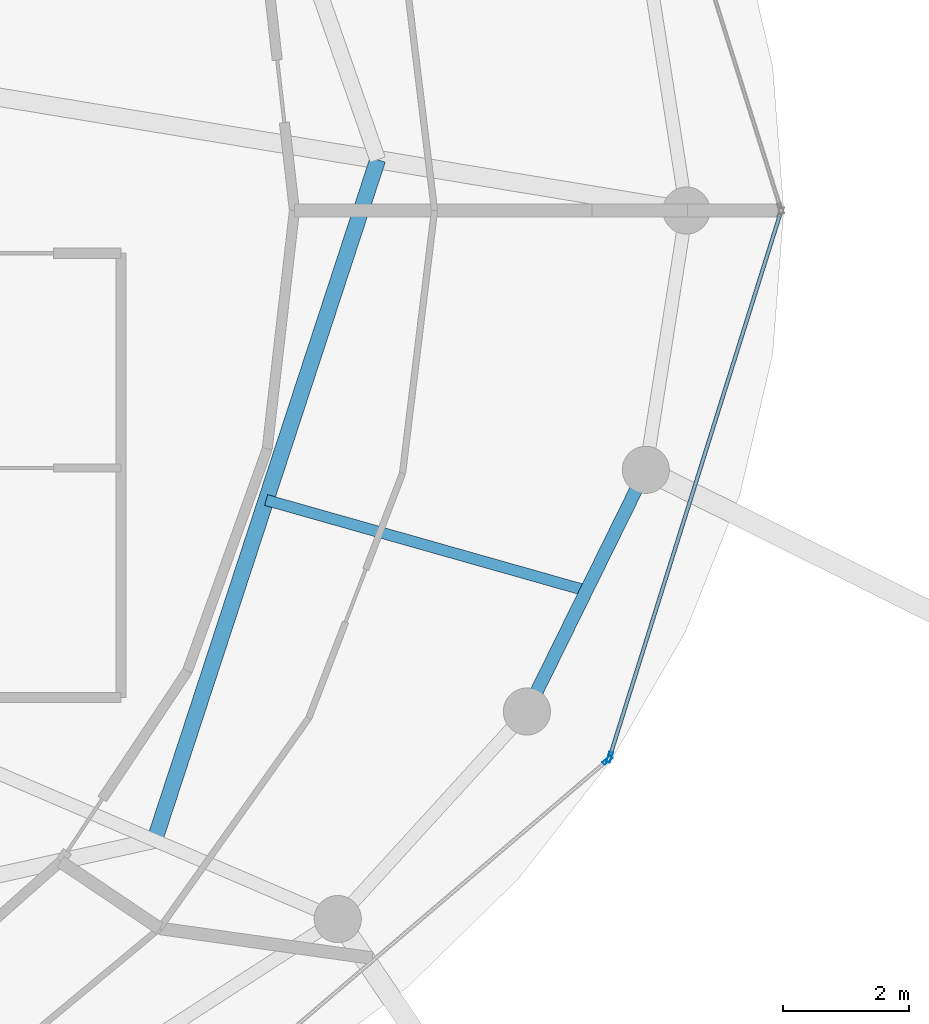
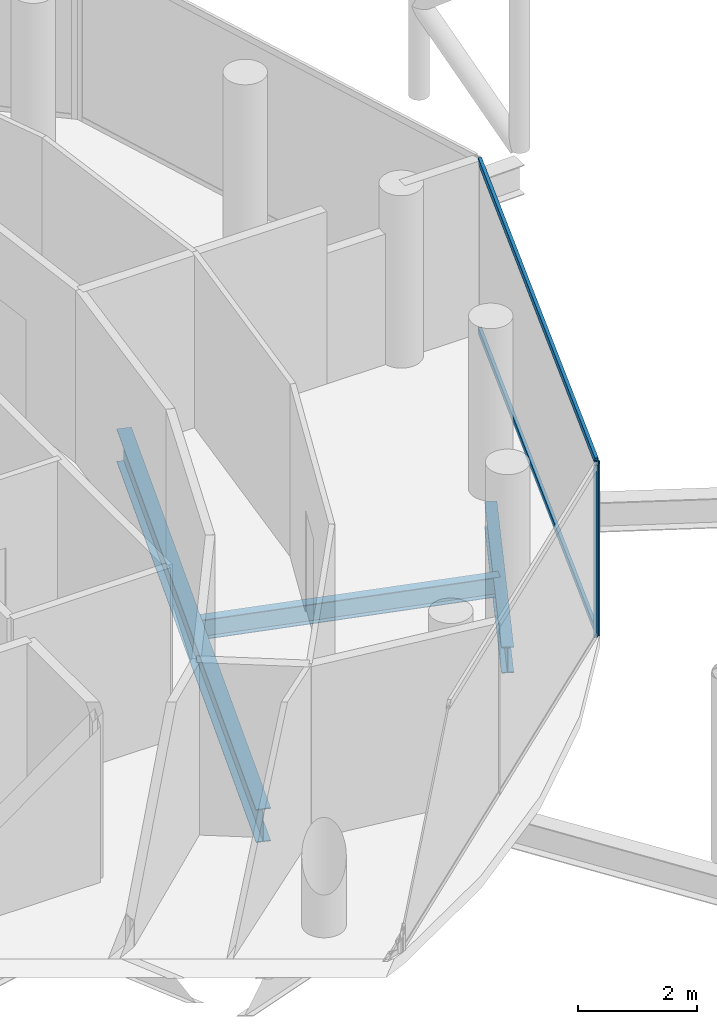
# One storey, part 10 of 24: 4 members, 3 beams, 2 elements without a shape of their own.
"""IFC4 building model written with IfcOpenShell, lengths in metres."""

import ifcopenshell
import ifcopenshell.guid

model = None  # the IFC model being written
_history = None  # IfcOwnerHistory: only IFC2X3 demands one
_inside = {}  # id of a spatial element -> (the spatial element, [elements in it])
_under = {}  # id of a project, library or spatial element -> (it, [spatial elements below it])
_declared = {}  # id of a project -> (the project, [libraries it declares])
_typed = {}  # id of a type object -> (the type object, [elements of that type])
_made_of = {}  # id of a material, layer set ... -> (it, [elements and type objects made of it])


def new_model(schema):
    """Start an empty IFC model of exactly this schema.

    Asked for "IFC4X3", IfcOpenShell would pick the latest addendum, in which some entities
    have other attributes; the version numbers below select the first issue.
    IFC2X3 requires an IfcOwnerHistory on every rooted entity: one is made here for all.
    """
    global model, _history
    if schema == "IFC4X3":
        model = ifcopenshell.file(schema_version=(4, 3, 0, 0))
    else:
        model = ifcopenshell.file(schema=schema)
    _inside.clear()
    _under.clear()
    _declared.clear()
    _typed.clear()
    _made_of.clear()
    _history = None
    if model.schema == "IFC2X3":
        org = make("IfcOrganization", Name="unknown")
        user = make(
            "IfcPersonAndOrganization",
            ThePerson=make("IfcPerson", FamilyName="unknown"),
            TheOrganization=org,
        )
        app = make(
            "IfcApplication",
            ApplicationDeveloper=org,
            Version="unknown",
            ApplicationFullName="unknown",
            ApplicationIdentifier="unknown",
        )
        _history = make(
            "IfcOwnerHistory",
            OwningUser=user,
            OwningApplication=app,
            ChangeAction="ADDED",
            CreationDate=0,
        )
    return model


def make(cls, **values):
    """One entity of the class cls with the attributes given. An attribute that is None is left unset."""
    return model.create_entity(
        cls, **{name: value for name, value in values.items() if value is not None}
    )


def rooted(cls, **values):
    """An entity with a GlobalId (a new one), such as an element, a storey or a relation."""
    return make(cls, GlobalId=ifcopenshell.guid.new(), OwnerHistory=_history, **values)


def si_unit(unit_type, name, prefix=None):
    """IfcSIUnit, for example si_unit("LENGTHUNIT", "METRE", prefix="MILLI")."""
    return make("IfcSIUnit", UnitType=unit_type, Prefix=prefix, Name=name)


def assignment(units):
    """IfcUnitAssignment: the units of a project."""
    return None if units is None else make("IfcUnitAssignment", Units=units)


def point(xyz):
    """IfcCartesianPoint."""
    return None if xyz is None else make("IfcCartesianPoint", Coordinates=xyz)


def direction(xyz):
    """IfcDirection."""
    return None if xyz is None else make("IfcDirection", DirectionRatios=xyz)


def frame(location, z_axis=None, x_axis=None):
    """IfcAxis2Placement3D, a coordinate frame: its origin and axes. An axis left out is left unset."""
    return make(
        "IfcAxis2Placement3D",
        Location=point(location),
        Axis=direction(z_axis),
        RefDirection=direction(x_axis),
    )


def frame_2d(location, x_axis=None):
    """IfcAxis2Placement2D, a coordinate frame in the plane: its origin and x axis."""
    return make(
        "IfcAxis2Placement2D", Location=point(location), RefDirection=direction(x_axis)
    )


def origin():
    """The frame at (0, 0, 0) with its axes left unset."""
    return frame((0.0, 0.0, 0.0))


def origin_2d():
    """The frame at (0, 0) in the plane with its x axis left unset."""
    return frame_2d((0.0, 0.0))


def place(relative_to, where):
    """IfcLocalPlacement: puts the frame where relative to a parent placement (None: the world)."""
    return make(
        "IfcLocalPlacement", PlacementRelTo=relative_to, RelativePlacement=where
    )


def context(
    kind, dimensions, precision=None, world=None, true_north=None, identifier=None
):
    """IfcGeometricRepresentationContext, for example the 3D "Model" context."""
    return make(
        "IfcGeometricRepresentationContext",
        ContextIdentifier=identifier,
        ContextType=kind,
        CoordinateSpaceDimension=dimensions,
        Precision=precision,
        WorldCoordinateSystem=world,
        TrueNorth=true_north,
    )


def subcontext(parent, identifier, kind, view, scale=None):
    """IfcGeometricRepresentationSubContext, for example "Body" below "Model"."""
    return make(
        "IfcGeometricRepresentationSubContext",
        ContextIdentifier=identifier,
        ContextType=kind,
        ParentContext=parent,
        TargetScale=scale,
        TargetView=view,
    )


def project(units=None, contexts=None):
    """IfcProject with its units and contexts."""
    return rooted(
        "IfcProject",
        Name="project",
        RepresentationContexts=contexts,
        UnitsInContext=assignment(units),
    )


def spatial(cls, under=None, at=None, **own):
    """A site, building, storey or space (cls), placed at a placement, below another one or the project."""
    s = rooted(cls, ObjectPlacement=at, **own)
    if under is not None:
        _under.setdefault(under.id(), (under, []))[1].append(s)
    return s


def profile(cls, at=None, kind="AREA", **sizes):
    """A parametric profile (cls). Its sizes go by their IFC names, for example OverallWidth=200.0."""
    return make(cls, ProfileType=kind, Position=at, **sizes)


def hollow_rectangle(**sizes):
    """IfcRectangleHollowProfileDef."""
    return profile("IfcRectangleHollowProfileDef", **sizes)


def i_section(**sizes):
    """IfcIShapeProfileDef."""
    return profile("IfcIShapeProfileDef", **sizes)


def extrude(swept, where, along, depth):
    """IfcExtrudedAreaSolid: the profile swept, set in the frame where, extruded along a direction by depth."""
    return make(
        "IfcExtrudedAreaSolid",
        SweptArea=swept,
        Position=where,
        ExtrudedDirection=direction(along),
        Depth=depth,
    )


def shape(context_of_items, identifier, shape_type, items):
    """IfcShapeRepresentation: the items that make up one representation, for example the "Body"."""
    return make(
        "IfcShapeRepresentation",
        ContextOfItems=context_of_items,
        RepresentationIdentifier=identifier,
        RepresentationType=shape_type,
        Items=items,
    )


def material(Name=None, Category=None):
    """IfcMaterial."""
    return make("IfcMaterial", Name=Name, Category=Category)


def layer(
    of_material, thickness, ventilated=None, Name=None, Category=None, Priority=None
):
    """IfcMaterialLayer: one layer of a wall or slab, of a material (None: an air gap)."""
    return make(
        "IfcMaterialLayer",
        Material=of_material,
        LayerThickness=thickness,
        IsVentilated=ventilated,
        Name=Name,
        Category=Category,
        Priority=Priority,
    )


def layer_set(layers, Name=None):
    """IfcMaterialLayerSet."""
    return make("IfcMaterialLayerSet", MaterialLayers=layers, LayerSetName=Name)


def material_profile(
    of_material, cross_section, Name=None, Category=None, Priority=None
):
    """IfcMaterialProfile: a cross section and its material."""
    return make(
        "IfcMaterialProfile",
        Name=Name,
        Material=of_material,
        Profile=cross_section,
        Priority=Priority,
        Category=Category,
    )


def profile_set(profiles, Name=None, composite=None):
    """IfcMaterialProfileSet."""
    return make(
        "IfcMaterialProfileSet",
        Name=Name,
        MaterialProfiles=profiles,
        CompositeProfile=composite,
    )


def made_of(thing, what):
    """Note that an element or type object is made of a material, layer set ...; save() writes the relation."""
    if what is not None:
        _made_of.setdefault(what.id(), (what, []))[1].append(thing)
    return thing


def type_object(cls, material=None, **own):
    """A type object (cls), such as IfcWallType, which elements share."""
    return made_of(rooted(cls, **own), material)


def element(
    cls,
    number,
    at=None,
    inside=None,
    cuts=None,
    type_object=None,
    material=None,
    context=None,
    identifier="Body",
    shape_type=None,
    held_by="IfcProductDefinitionShape",
    body=None,
    shapes=None,
    **own,
):
    """One element of the class cls, such as IfcWall. Its Tag is "e" and its number.

    at: its placement. inside: the storey or other place that contains it. cuts: it is an
    opening in that element (IfcRelVoidsElement). A single representation is given by context,
    identifier, shape_type and body (its items); several are given by shapes. held_by: the class
    of the entity that holds the representations. save() writes the other relations.
    """
    e = rooted(cls, Tag="e%d" % number, ObjectPlacement=at, **own)
    if body is not None:
        shapes = [shape(context, identifier, shape_type, body)]
    if shapes is not None:
        e.Representation = make(held_by, Representations=shapes)
    if inside is not None:
        _inside.setdefault(inside.id(), (inside, []))[1].append(e)
    if cuts is not None:
        rooted(
            "IfcRelVoidsElement", RelatingBuildingElement=cuts, RelatedOpeningElement=e
        )
    if type_object is not None:
        _typed.setdefault(type_object.id(), (type_object, []))[1].append(e)
    return made_of(e, material)


def aggregate(whole, parts):
    """IfcRelAggregates: a whole, such as a stair, and the parts it consists of."""
    return rooted("IfcRelAggregates", RelatingObject=whole, RelatedObjects=parts)


def save(model, path):
    """Write the relations noted so far, then the file.

    IfcRelAggregates (storeys below a building ...), IfcRelContainedInSpatialStructure (elements
    in a storey), IfcRelDefinesByType, IfcRelAssociatesMaterial and IfcRelDeclares: one each for
    every whole, place, type object, material and project.
    """
    for whole, parts in _under.values():
        aggregate(whole, parts)
    for where, things in _inside.values():
        rooted(
            "IfcRelContainedInSpatialStructure",
            RelatedElements=things,
            RelatingStructure=where,
        )
    for kind, things in _typed.values():
        rooted("IfcRelDefinesByType", RelatedObjects=things, RelatingType=kind)
    for what, things in _made_of.values():
        rooted("IfcRelAssociatesMaterial", RelatedObjects=things, RelatingMaterial=what)
    for by, libraries in _declared.values():
        rooted("IfcRelDeclares", RelatingContext=by, RelatedDefinitions=libraries)
    model.write(path)


model = new_model("IFC4")

# Units and contexts
model_context = context("Model", 3, precision=1e-05, world=origin(), true_north=direction((0.0, 1.0)))
body_context = subcontext(model_context, "Body", "Model", "MODEL_VIEW")
ifc_project = project(units=[si_unit("LENGTHUNIT", "METRE"), si_unit("AREAUNIT", "SQUARE_METRE"), si_unit("VOLUMEUNIT", "CUBIC_METRE"), si_unit("PLANEANGLEUNIT", "RADIAN"), si_unit("MASSUNIT", "GRAM", prefix="KILO")], contexts=[model_context])

# Site, building, storey
site_placement = place(None, origin())
site = spatial("IfcSite", under=ifc_project, at=site_placement, CompositionType="ELEMENT")
building_placement = place(site_placement, origin())
building = spatial("IfcBuilding", under=site, at=building_placement, Name="Nuhasar Tower", CompositionType="ELEMENT")
storey_placement = place(building_placement, frame((0.0, 0.0, 274.60009765625)))
storey = spatial("IfcBuildingStorey", under=building, at=storey_placement, Name="L68", CompositionType="ELEMENT", Elevation=274.60009765625)

# Beams
ifc_material_1 = material(Name="Steel S355", Category="steel")
ifc_material_profile_1 = material_profile(ifc_material_1, i_section(OverallWidth=0.25390625, OverallDepth=0.68408203125, WebThickness=0.012451171875, FlangeThickness=0.018798828125, at=origin_2d()), Name="W27X94")
ifc_profile_set_1 = profile_set([ifc_material_profile_1], Name="Steel S355")
beam_type_1 = type_object("IfcBeamType", Name="BM-INRING-W27X94", PredefinedType="BEAM", material=ifc_profile_set_1)
beam_1_placement = place(storey_placement, frame((49.48388671875, 16.77392578125, -0.60205078125), z_axis=(0.311483801376, 0.950251462235, 0.0), x_axis=(-0.950251462235, 0.311483801376, 0.0)))
element("IfcBeam", 1, at=beam_1_placement, inside=storey, type_object=beam_type_1, Name="L68 Inner Header Beam 03", PredefinedType="BEAM", context=body_context, shape_type="SweptSolid", body=[
    extrude(i_section(OverallWidth=0.25390625, OverallDepth=0.68408203125, WebThickness=0.012451171875, FlangeThickness=0.018798828125, at=origin_2d()), origin(), (0.0, 0.0, 1.0), 11.403564453125),
])
ifc_material_profile_2 = material_profile(ifc_material_1, i_section(OverallWidth=0.177978515625, OverallDepth=0.406005859375, WebThickness=0.0078125, FlangeThickness=0.0126953125, at=origin_2d()), Name="W16X40")
ifc_profile_set_2 = profile_set([ifc_material_profile_2], Name="Steel S355")
beam_type_2 = type_object("IfcBeamType", Name="BM-JST-W16X40", PredefinedType="JOIST", material=ifc_profile_set_2)
beam_2_placement = place(storey_placement, frame((51.260009765625, 22.19189453125, -0.463134765625), z_axis=(0.962154316042, -0.272505178156, 0.0), x_axis=(0.272505178156, 0.962154316042, 0.0)))
element("IfcBeam", 2, at=beam_2_placement, inside=storey, type_object=beam_type_2, Name="L68 Secondary Floor Joist 03", PredefinedType="JOIST", context=body_context, shape_type="SweptSolid", body=[
    extrude(i_section(OverallWidth=0.177978515625, OverallDepth=0.406005859375, WebThickness=0.0078125, FlangeThickness=0.0126953125, at=origin_2d()), origin(), (0.0, 0.0, 1.0), 5.29833984375),
])
ifc_material_profile_3 = material_profile(ifc_material_1, i_section(OverallWidth=0.2099609375, OverallDepth=0.537109375, WebThickness=0.010986328125, FlangeThickness=0.017333984375, at=origin_2d()), Name="W21X68")
ifc_profile_set_3 = profile_set([ifc_material_profile_3], Name="Steel S355")
beam_type_3 = type_object("IfcBeamType", Name="BM-RING-W21X68", PredefinedType="SPANDREL", material=ifc_profile_set_3)
beam_3_placement = place(storey_placement, frame((55.410888671875, 18.824951171875, -0.529052734375), z_axis=(0.441510561726, 0.897256052576, 0.0), x_axis=(-0.897256052576, 0.441510561726, 0.0)))
element("IfcBeam", 3, at=beam_3_placement, inside=storey, type_object=beam_type_3, Name="L68 Perimeter Ring Spandrel 23", PredefinedType="SPANDREL", context=body_context, shape_type="SweptSolid", body=[
    extrude(i_section(OverallWidth=0.2099609375, OverallDepth=0.537109375, WebThickness=0.010986328125, FlangeThickness=0.017333984375, at=origin_2d()), origin(), (0.0, 0.0, 1.0), 4.28759765625),
])

# Curtain wall, member
ifc_material_2 = material(Name="Aluminium 6063-T6", Category="aluminium")
ifc_layer = layer(ifc_material_2, 0.18994140625)
ifc_layer_set = layer_set([ifc_layer], Name="Aluminium 6063-T6")
curtain_wall_type = type_object("IfcCurtainWallType", Name="CW-Z4-PEN", PredefinedType="NOTDEFINED", material=ifc_layer_set)
curtain_wall_1_placement = place(storey_placement, origin())
curtain_wall_1 = element("IfcCurtainWall", 4, at=curtain_wall_1_placement, inside=storey, type_object=curtain_wall_type, Name="L68 Unitised Curtain Wall 11", PredefinedType="NOTDEFINED")
ifc_material_profile_4 = material_profile(ifc_material_2, hollow_rectangle(XDim=0.06005859375, YDim=0.1650390625, WallThickness=0.0048828125, at=origin_2d()), Name="CWM-5")
ifc_profile_set_4 = profile_set([ifc_material_profile_4], Name="Aluminium 6063-T6")
member_type_1 = type_object("IfcMemberType", Name="CW-MUL-S5", PredefinedType="MULLION", material=ifc_profile_set_4)
member_1_placement = place(storey_placement, frame((56.6962890625, 18.050537109375, 0.0), z_axis=(0.0, 0.0, 1.0), x_axis=(-0.649141996205, 0.760667252327, 0.0)))
member_1 = element("IfcMember", 5, at=member_1_placement, type_object=member_type_1, Name="CW-Z4 mullion 2", PredefinedType="MULLION", context=body_context, shape_type="SweptSolid", body=[
    extrude(hollow_rectangle(XDim=0.06005859375, YDim=0.1650390625, WallThickness=0.0048828125, at=origin_2d()), origin(), (0.0, 0.0, 1.0), 3.539794921875),
])
aggregate(curtain_wall_1, [member_1])

# Curtain wall, members
curtain_wall_2_placement = place(storey_placement, origin())
curtain_wall_2 = element("IfcCurtainWall", 6, at=curtain_wall_2_placement, inside=storey, type_object=curtain_wall_type, Name="L68 Unitised Curtain Wall 12", PredefinedType="NOTDEFINED")
member_2_placement = place(storey_placement, frame((56.72802734375, 18.0986328125, 0.0), z_axis=(0.0, 0.0, 1.0), x_axis=(-0.954078526601, 0.299556614146, 0.0)))
member_2 = element("IfcMember", 7, at=member_2_placement, type_object=member_type_1, Name="CW-Z4 mullion 1", PredefinedType="MULLION", context=body_context, shape_type="SweptSolid", body=[
    extrude(hollow_rectangle(XDim=0.06005859375, YDim=0.1650390625, WallThickness=0.0048828125, at=origin_2d()), origin(), (0.0, 0.0, 1.0), 3.539794921875),
])
ifc_material_profile_5 = material_profile(ifc_material_2, hollow_rectangle(XDim=0.06005859375, YDim=0.135009765625, WallThickness=0.00439453125, at=origin_2d()), Name="CWT-5")
ifc_profile_set_5 = profile_set([ifc_material_profile_5], Name="Aluminium 6063-T6")
member_type_2 = type_object("IfcMemberType", Name="CW-TRN-S5", PredefinedType="USERDEFINED", material=ifc_profile_set_5)
member_3_placement = place(storey_placement, frame((56.737060546875, 18.127197265625, 0.02978515625), z_axis=(0.29956014073, 0.954077419335, 0.0), x_axis=(-0.954077419335, 0.29956014073, 0.0)))
member_3 = element("IfcMember", 8, at=member_3_placement, type_object=member_type_2, Name="CW-Z4 transom 1.1", ObjectType="TRANSOM", PredefinedType="USERDEFINED", context=body_context, shape_type="SweptSolid", body=[
    extrude(hollow_rectangle(XDim=0.06005859375, YDim=0.135009765625, WallThickness=0.00439453125, at=origin_2d()), origin(), (0.0, 0.0, 1.0), 9.0302734375),
])
member_4_placement = place(storey_placement, frame((56.737060546875, 18.127197265625, 3.510009765625), z_axis=(0.29956014073, 0.954077419335, 0.0), x_axis=(-0.954077419335, 0.29956014073, 0.0)))
member_4 = element("IfcMember", 9, at=member_4_placement, type_object=member_type_2, Name="CW-Z4 transom 1.2", ObjectType="TRANSOM", PredefinedType="USERDEFINED", context=body_context, shape_type="SweptSolid", body=[
    extrude(hollow_rectangle(XDim=0.06005859375, YDim=0.135009765625, WallThickness=0.00439453125, at=origin_2d()), origin(), (0.0, 0.0, 1.0), 9.0302734375),
])
aggregate(curtain_wall_2, [member_2, member_3, member_4])

save(model, "model.ifc")
